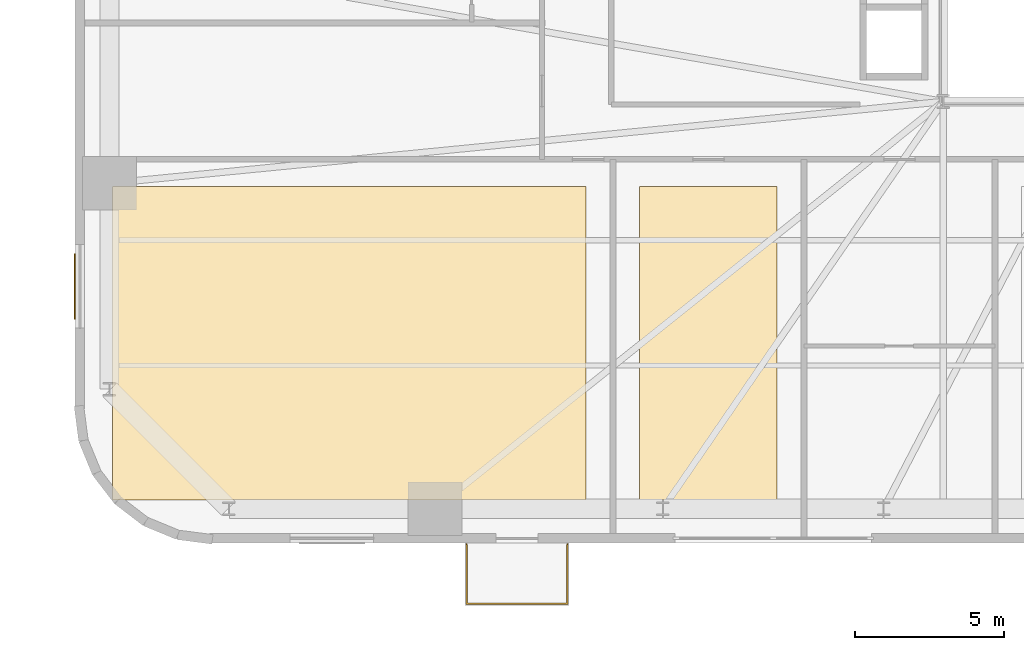
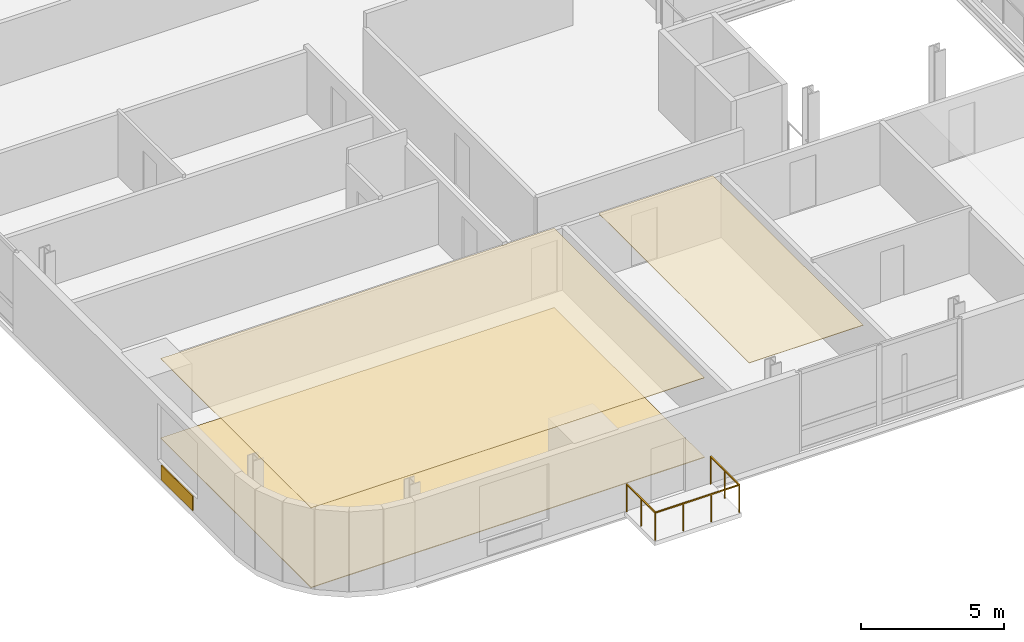
# One storey, part 13 of 18: 4 coverings, 1 railing.
"""IFC4 building model written with IfcOpenShell, lengths in metres."""

import ifcopenshell
import ifcopenshell.guid

model = None  # the IFC model being written
_history = None  # IfcOwnerHistory: only IFC2X3 demands one
_inside = {}  # id of a spatial element -> (the spatial element, [elements in it])
_under = {}  # id of a project, library or spatial element -> (it, [spatial elements below it])
_declared = {}  # id of a project -> (the project, [libraries it declares])
_typed = {}  # id of a type object -> (the type object, [elements of that type])
_made_of = {}  # id of a material, layer set ... -> (it, [elements and type objects made of it])


def new_model(schema):
    """Start an empty IFC model of exactly this schema.

    Asked for "IFC4X3", IfcOpenShell would pick the latest addendum, in which some entities
    have other attributes; the version numbers below select the first issue.
    IFC2X3 requires an IfcOwnerHistory on every rooted entity: one is made here for all.
    """
    global model, _history
    if schema == "IFC4X3":
        model = ifcopenshell.file(schema_version=(4, 3, 0, 0))
    else:
        model = ifcopenshell.file(schema=schema)
    _inside.clear()
    _under.clear()
    _declared.clear()
    _typed.clear()
    _made_of.clear()
    _history = None
    if model.schema == "IFC2X3":
        org = make("IfcOrganization", Name="unknown")
        user = make(
            "IfcPersonAndOrganization",
            ThePerson=make("IfcPerson", FamilyName="unknown"),
            TheOrganization=org,
        )
        app = make(
            "IfcApplication",
            ApplicationDeveloper=org,
            Version="unknown",
            ApplicationFullName="unknown",
            ApplicationIdentifier="unknown",
        )
        _history = make(
            "IfcOwnerHistory",
            OwningUser=user,
            OwningApplication=app,
            ChangeAction="ADDED",
            CreationDate=0,
        )
    return model


def make(cls, **values):
    """One entity of the class cls with the attributes given. An attribute that is None is left unset."""
    return model.create_entity(
        cls, **{name: value for name, value in values.items() if value is not None}
    )


def rooted(cls, **values):
    """An entity with a GlobalId (a new one), such as an element, a storey or a relation."""
    return make(cls, GlobalId=ifcopenshell.guid.new(), OwnerHistory=_history, **values)


def si_unit(unit_type, name, prefix=None):
    """IfcSIUnit, for example si_unit("LENGTHUNIT", "METRE", prefix="MILLI")."""
    return make("IfcSIUnit", UnitType=unit_type, Prefix=prefix, Name=name)


def assignment(units):
    """IfcUnitAssignment: the units of a project."""
    return None if units is None else make("IfcUnitAssignment", Units=units)


def point(xyz):
    """IfcCartesianPoint."""
    return None if xyz is None else make("IfcCartesianPoint", Coordinates=xyz)


def direction(xyz):
    """IfcDirection."""
    return None if xyz is None else make("IfcDirection", DirectionRatios=xyz)


def frame(location, z_axis=None, x_axis=None):
    """IfcAxis2Placement3D, a coordinate frame: its origin and axes. An axis left out is left unset."""
    return make(
        "IfcAxis2Placement3D",
        Location=point(location),
        Axis=direction(z_axis),
        RefDirection=direction(x_axis),
    )


def frame_2d(location, x_axis=None):
    """IfcAxis2Placement2D, a coordinate frame in the plane: its origin and x axis."""
    return make(
        "IfcAxis2Placement2D", Location=point(location), RefDirection=direction(x_axis)
    )


def origin():
    """The frame at (0, 0, 0) with its axes left unset."""
    return frame((0.0, 0.0, 0.0))


def origin_2d():
    """The frame at (0, 0) in the plane with its x axis left unset."""
    return frame_2d((0.0, 0.0))


def place(relative_to, where):
    """IfcLocalPlacement: puts the frame where relative to a parent placement (None: the world)."""
    return make(
        "IfcLocalPlacement", PlacementRelTo=relative_to, RelativePlacement=where
    )


def context(
    kind, dimensions, precision=None, world=None, true_north=None, identifier=None
):
    """IfcGeometricRepresentationContext, for example the 3D "Model" context."""
    return make(
        "IfcGeometricRepresentationContext",
        ContextIdentifier=identifier,
        ContextType=kind,
        CoordinateSpaceDimension=dimensions,
        Precision=precision,
        WorldCoordinateSystem=world,
        TrueNorth=true_north,
    )


def subcontext(parent, identifier, kind, view, scale=None):
    """IfcGeometricRepresentationSubContext, for example "Body" below "Model"."""
    return make(
        "IfcGeometricRepresentationSubContext",
        ContextIdentifier=identifier,
        ContextType=kind,
        ParentContext=parent,
        TargetScale=scale,
        TargetView=view,
    )


def project(units=None, contexts=None):
    """IfcProject with its units and contexts."""
    return rooted(
        "IfcProject",
        Name="project",
        RepresentationContexts=contexts,
        UnitsInContext=assignment(units),
    )


def spatial(cls, under=None, at=None, **own):
    """A site, building, storey or space (cls), placed at a placement, below another one or the project."""
    s = rooted(cls, ObjectPlacement=at, **own)
    if under is not None:
        _under.setdefault(under.id(), (under, []))[1].append(s)
    return s


def polyline(points):
    """IfcPolyline through the points."""
    return make("IfcPolyline", Points=[point(p) for p in points])


def profile(cls, at=None, kind="AREA", **sizes):
    """A parametric profile (cls). Its sizes go by their IFC names, for example OverallWidth=200.0."""
    return make(cls, ProfileType=kind, Position=at, **sizes)


def rectangle(**sizes):
    """IfcRectangleProfileDef."""
    return profile("IfcRectangleProfileDef", **sizes)


def outline(outer, holes=None, kind="AREA"):
    """IfcArbitraryClosedProfileDef: a profile drawn as a closed curve; with holes, ...WithVoids."""
    if holes is None:
        return make("IfcArbitraryClosedProfileDef", ProfileType=kind, OuterCurve=outer)
    return make(
        "IfcArbitraryProfileDefWithVoids",
        ProfileType=kind,
        OuterCurve=outer,
        InnerCurves=holes,
    )


def extrude(swept, where, along, depth):
    """IfcExtrudedAreaSolid: the profile swept, set in the frame where, extruded along a direction by depth."""
    return make(
        "IfcExtrudedAreaSolid",
        SweptArea=swept,
        Position=where,
        ExtrudedDirection=direction(along),
        Depth=depth,
    )


def shape(context_of_items, identifier, shape_type, items):
    """IfcShapeRepresentation: the items that make up one representation, for example the "Body"."""
    return make(
        "IfcShapeRepresentation",
        ContextOfItems=context_of_items,
        RepresentationIdentifier=identifier,
        RepresentationType=shape_type,
        Items=items,
    )


def source(mapping_origin, context_of_items, identifier, shape_type, items):
    """IfcRepresentationMap: a shape defined once, which mapped items show again and again."""
    return make(
        "IfcRepresentationMap",
        MappingOrigin=mapping_origin,
        MappedRepresentation=shape(context_of_items, identifier, shape_type, items),
    )


def transform(
    local_origin,
    x_axis=None,
    y_axis=None,
    z_axis=None,
    scale=None,
    scale2=None,
    scale3=None,
    uniform=True,
):
    """IfcCartesianTransformationOperator3D, or its non-uniform kind. x_axis, y_axis, z_axis: its Axis1, 2, 3."""
    if uniform:
        return make(
            "IfcCartesianTransformationOperator3D",
            Axis1=direction(x_axis),
            Axis2=direction(y_axis),
            LocalOrigin=point(local_origin),
            Scale=scale,
            Axis3=direction(z_axis),
        )
    return make(
        "IfcCartesianTransformationOperator3DnonUniform",
        Axis1=direction(x_axis),
        Axis2=direction(y_axis),
        LocalOrigin=point(local_origin),
        Scale=scale,
        Axis3=direction(z_axis),
        Scale2=scale2,
        Scale3=scale3,
    )


def mapped(mapping_source, mapping_target):
    """IfcMappedItem: shows the shape of a source again, moved by a transform."""
    return make(
        "IfcMappedItem", MappingSource=mapping_source, MappingTarget=mapping_target
    )


def material(Name=None, Category=None):
    """IfcMaterial."""
    return make("IfcMaterial", Name=Name, Category=Category)


def layer(
    of_material, thickness, ventilated=None, Name=None, Category=None, Priority=None
):
    """IfcMaterialLayer: one layer of a wall or slab, of a material (None: an air gap)."""
    return make(
        "IfcMaterialLayer",
        Material=of_material,
        LayerThickness=thickness,
        IsVentilated=ventilated,
        Name=Name,
        Category=Category,
        Priority=Priority,
    )


def layer_set(layers, Name=None):
    """IfcMaterialLayerSet."""
    return make("IfcMaterialLayerSet", MaterialLayers=layers, LayerSetName=Name)


def made_of(thing, what):
    """Note that an element or type object is made of a material, layer set ...; save() writes the relation."""
    if what is not None:
        _made_of.setdefault(what.id(), (what, []))[1].append(thing)
    return thing


def type_object(cls, material=None, **own):
    """A type object (cls), such as IfcWallType, which elements share."""
    return made_of(rooted(cls, **own), material)


def element(
    cls,
    number,
    at=None,
    inside=None,
    cuts=None,
    type_object=None,
    material=None,
    context=None,
    identifier="Body",
    shape_type=None,
    held_by="IfcProductDefinitionShape",
    body=None,
    shapes=None,
    **own,
):
    """One element of the class cls, such as IfcWall. Its Tag is "e" and its number.

    at: its placement. inside: the storey or other place that contains it. cuts: it is an
    opening in that element (IfcRelVoidsElement). A single representation is given by context,
    identifier, shape_type and body (its items); several are given by shapes. held_by: the class
    of the entity that holds the representations. save() writes the other relations.
    """
    e = rooted(cls, Tag="e%d" % number, ObjectPlacement=at, **own)
    if body is not None:
        shapes = [shape(context, identifier, shape_type, body)]
    if shapes is not None:
        e.Representation = make(held_by, Representations=shapes)
    if inside is not None:
        _inside.setdefault(inside.id(), (inside, []))[1].append(e)
    if cuts is not None:
        rooted(
            "IfcRelVoidsElement", RelatingBuildingElement=cuts, RelatedOpeningElement=e
        )
    if type_object is not None:
        _typed.setdefault(type_object.id(), (type_object, []))[1].append(e)
    return made_of(e, material)


def aggregate(whole, parts):
    """IfcRelAggregates: a whole, such as a stair, and the parts it consists of."""
    return rooted("IfcRelAggregates", RelatingObject=whole, RelatedObjects=parts)


def save(model, path):
    """Write the relations noted so far, then the file.

    IfcRelAggregates (storeys below a building ...), IfcRelContainedInSpatialStructure (elements
    in a storey), IfcRelDefinesByType, IfcRelAssociatesMaterial and IfcRelDeclares: one each for
    every whole, place, type object, material and project.
    """
    for whole, parts in _under.values():
        aggregate(whole, parts)
    for where, things in _inside.values():
        rooted(
            "IfcRelContainedInSpatialStructure",
            RelatedElements=things,
            RelatingStructure=where,
        )
    for kind, things in _typed.values():
        rooted("IfcRelDefinesByType", RelatedObjects=things, RelatingType=kind)
    for what, things in _made_of.values():
        rooted("IfcRelAssociatesMaterial", RelatedObjects=things, RelatingMaterial=what)
    for by, libraries in _declared.values():
        rooted("IfcRelDeclares", RelatingContext=by, RelatedDefinitions=libraries)
    model.write(path)


model = new_model("IFC4")

# Units and contexts
model_context = context("Model", 3, precision=1e-05, world=origin(), true_north=direction((0.0, 1.0)))
body_context = subcontext(model_context, "Body", "Model", "MODEL_VIEW")
ifc_project = project(units=[si_unit("LENGTHUNIT", "METRE"), si_unit("AREAUNIT", "SQUARE_METRE"), si_unit("VOLUMEUNIT", "CUBIC_METRE"), si_unit("PLANEANGLEUNIT", "RADIAN"), si_unit("MASSUNIT", "GRAM", prefix="KILO")], contexts=[model_context])

# Site, building, storey
site_placement = place(None, origin())
site = spatial("IfcSite", under=ifc_project, at=site_placement, CompositionType="ELEMENT")
building_placement = place(site_placement, origin())
building = spatial("IfcBuilding", under=site, at=building_placement, Name="Vardaveli Station Tower", CompositionType="ELEMENT")
storey_placement = place(building_placement, frame((0.0, 0.0, 27.60009765625)))
storey = spatial("IfcBuildingStorey", under=building, at=storey_placement, Name="L06", CompositionType="ELEMENT", Elevation=27.60009765625)

# Coverings
ifc_material_1 = material(Name="Perforated acoustic mineral ceiling")
ifc_layer_1 = layer(ifc_material_1, 0.02001953125, Name="Perforated acoustic mineral ceiling")
ifc_layer_set_1 = layer_set([ifc_layer_1], Name="Perforated acoustic mineral ceiling")
covering_type_1 = type_object("IfcCoveringType", Name="COV-CEIL-AC20", PredefinedType="CEILING", material=ifc_layer_set_1)
covering_1_placement = place(storey_placement, frame((0.0, 0.0, 3.39501953125)))
element("IfcCovering", 1, at=covering_1_placement, inside=storey, type_object=covering_type_1, Name="CEIL-L06-1", PredefinedType="CEILING", context=body_context, shape_type="SweptSolid", body=[
    extrude(outline(polyline([(3.35009765625, 3.25), (19.219970703125, 3.25), (19.219970703125, 13.760009765625), (3.35009765625, 13.760009765625), (3.35009765625, 3.25)])), origin(), (0.0, 0.0, 1.0), 0.019775390625),
])
covering_2_placement = place(storey_placement, frame((0.0, 0.0, 3.39501953125)))
element("IfcCovering", 2, at=covering_2_placement, inside=storey, type_object=covering_type_1, Name="CEIL-L06-2", PredefinedType="CEILING", context=body_context, shape_type="SweptSolid", body=[
    extrude(outline(polyline([(21.02001953125, 3.25), (25.623291015625, 3.25), (25.623291015625, 13.760009765625), (21.02001953125, 13.760009765625), (21.02001953125, 3.25)])), origin(), (0.0, 0.0, 1.0), 0.019775390625),
])
ifc_material_2 = material(Name="Honed Caucasian basalt and travertine flooring", Category="masonry")
ifc_layer_2 = layer(ifc_material_2, 0.030029296875, Name="Honed Caucasian basalt and travertine flooring")
ifc_layer_set_2 = layer_set([ifc_layer_2], Name="Honed Caucasian basalt and travertine flooring")
covering_type_2 = type_object("IfcCoveringType", Name="COV-FLOOR-ST30", PredefinedType="FLOORING", material=ifc_layer_set_2)
covering_3_placement = place(storey_placement, origin())
element("IfcCovering", 3, at=covering_3_placement, inside=storey, type_object=covering_type_2, Name="FLR-L06-1", PredefinedType="FLOORING", context=body_context, shape_type="SweptSolid", body=[
    extrude(outline(polyline([(3.35009765625, 3.25), (19.219970703125, 3.25), (19.219970703125, 13.760009765625), (3.35009765625, 13.760009765625), (3.35009765625, 3.25)])), origin(), (0.0, 0.0, 1.0), 0.02978515625),
])
ifc_material_3 = material(Name="Ventilated honed travertine stone cladding", Category="masonry")
ifc_layer_3 = layer(ifc_material_3, 0.044921875, Name="Ventilated honed travertine stone cladding")
ifc_layer_set_3 = layer_set([ifc_layer_3], Name="Ventilated honed travertine stone cladding")
covering_type_3 = type_object("IfcCoveringType", Name="COV-CLAD-TR45", PredefinedType="CLADDING", material=ifc_layer_set_3)
shared_shape_1 = source(origin(), body_context, "Body", "SweptSolid", [
    extrude(rectangle(XDim=2.199951171875, YDim=0.044921875, at=origin_2d()), origin(), (0.0, 0.0, 1.0), 0.6201171875),
])
covering_4_placement = place(storey_placement, frame((2.08544921875, 10.405029296875, 0.06982421875), z_axis=(0.0, 0.0, 1.0), x_axis=(0.0, 1.0, 0.0)))
element("IfcCovering", 4, at=covering_4_placement, inside=storey, type_object=covering_type_3, Name="CLD-TR-L06-W", PredefinedType="CLADDING", context=body_context, shape_type="MappedRepresentation", body=[
    mapped(shared_shape_1, transform((0.0, 0.0, 0.0), scale=1.0)),
])

# Railing
ifc_material_4 = material(Name="Laminated glass and stainless steel balustrade", Category="steel")
railing_type = type_object("IfcRailingType", Name="RL-BAL-1200", PredefinedType="BALUSTRADE", material=ifc_material_4)
shared_shape_2 = source(origin(), body_context, "Body", "SweptSolid", [
    extrude(rectangle(XDim=0.048095703125, YDim=0.048095703125, at=origin_2d()), frame((0.0, 0.0, 1.17578125), z_axis=(0.0, -1.0, 0.0), x_axis=(1.0, 0.0, 0.0)), (0.0, 0.0, 1.0), 2.0),
    extrude(rectangle(XDim=0.048095703125, YDim=0.048095703125, at=origin_2d()), frame((0.0, -2.0, 1.17578125), z_axis=(1.0, 0.0, 0.0), x_axis=(0.0, 1.0, 0.0)), (0.0, 0.0, 1.0), 3.3798828125),
    extrude(rectangle(XDim=0.048095703125, YDim=0.048095703125, at=origin_2d()), frame((3.3798828125, -2.0, 1.17578125), z_axis=(0.0, 1.0, 0.0), x_axis=(-1.0, 0.0, 0.0)), (0.0, 0.0, 1.0), 2.0),
    extrude(rectangle(XDim=0.0419921875, YDim=0.0419921875, at=origin_2d()), origin(), (0.0, 0.0, 1.0), 1.15185546875),
    extrude(rectangle(XDim=0.0419921875, YDim=0.0419921875, at=origin_2d()), frame((0.0, -1.0, 0.0)), (0.0, 0.0, 1.0), 1.15185546875),
    extrude(rectangle(XDim=0.0419921875, YDim=0.0419921875, at=origin_2d()), frame((0.0, -2.0, 0.0)), (0.0, 0.0, 1.0), 1.15185546875),
    extrude(rectangle(XDim=0.0419921875, YDim=0.0419921875, at=origin_2d()), frame((1.126708984375, -2.0, 0.0)), (0.0, 0.0, 1.0), 1.15185546875),
    extrude(rectangle(XDim=0.0419921875, YDim=0.0419921875, at=origin_2d()), frame((2.253173828125, -2.0, 0.0)), (0.0, 0.0, 1.0), 1.15185546875),
    extrude(rectangle(XDim=0.0419921875, YDim=0.0419921875, at=origin_2d()), frame((3.3798828125, -2.0, 0.0)), (0.0, 0.0, 1.0), 1.15185546875),
    extrude(rectangle(XDim=0.0419921875, YDim=0.0419921875, at=origin_2d()), frame((3.3798828125, -1.0, 0.0)), (0.0, 0.0, 1.0), 1.15185546875),
    extrude(rectangle(XDim=0.0419921875, YDim=0.0419921875, at=origin_2d()), frame((3.3798828125, 0.0, 0.0)), (0.0, 0.0, 1.0), 1.15185546875),
])
railing_placement = place(storey_placement, frame((15.220458984375, 1.760009765625, 0.0)))
element("IfcRailing", 5, at=railing_placement, inside=storey, type_object=railing_type, Name="RL-LOG-L06-01", PredefinedType="BALUSTRADE", context=body_context, shape_type="MappedRepresentation", body=[
    mapped(shared_shape_2, transform((0.0, 0.0, 0.0), scale=1.0)),
])

save(model, "model.ifc")
